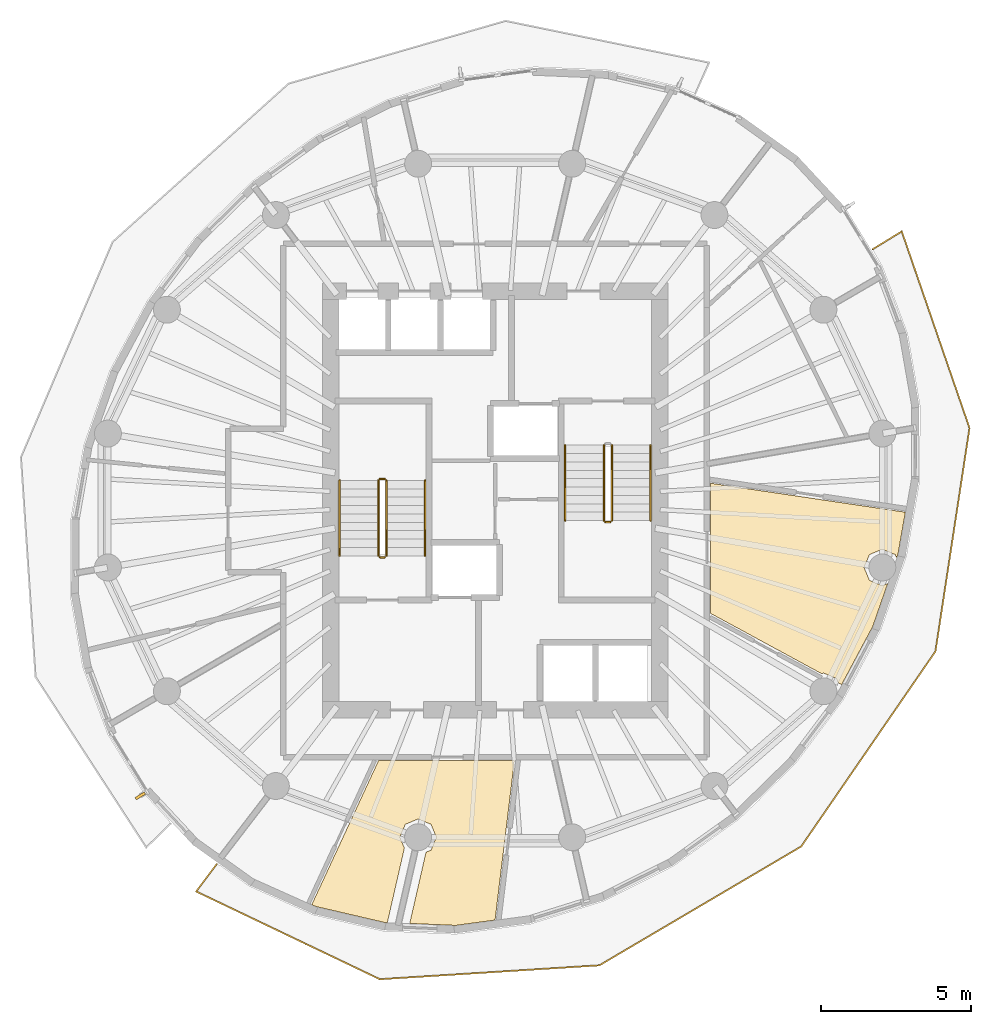
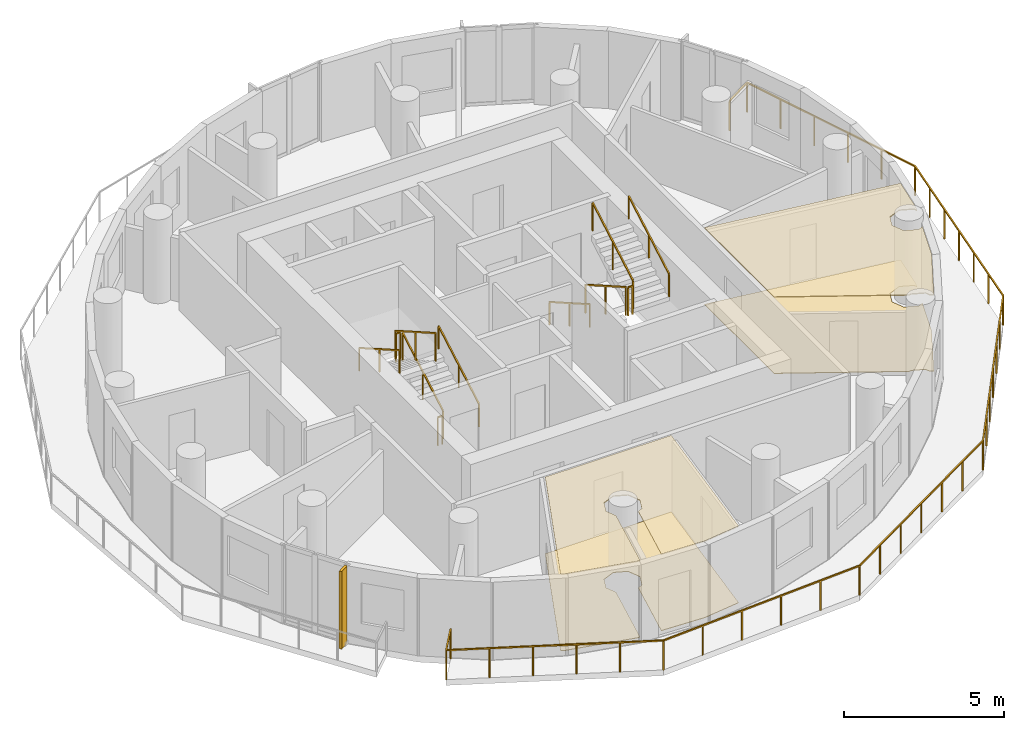
# One storey, part 8 of 10: 12 railings, 4 coverings, 1 shading device.
"""IFC4 building model written with IfcOpenShell, lengths in metres."""

from ifc_helpers import new_model, si_unit, direction, frame, origin, origin_2d, place, context, subcontext, project, spatial, polyline, rectangle, outline, extrude, material, layer, layer_set, type_object, element, save


model = new_model("IFC4")

# Units and contexts
model_context = context("Model", 3, precision=1e-05, world=origin(), true_north=direction((0.0, 1.0)))
body_context = subcontext(model_context, "Body", "Model", "MODEL_VIEW")
ifc_project = project(units=[si_unit("LENGTHUNIT", "METRE"), si_unit("AREAUNIT", "SQUARE_METRE"), si_unit("VOLUMEUNIT", "CUBIC_METRE"), si_unit("PLANEANGLEUNIT", "RADIAN"), si_unit("MASSUNIT", "GRAM", prefix="KILO")], contexts=[model_context])

# Site, building, storey
site_placement = place(None, origin())
site = spatial("IfcSite", under=ifc_project, at=site_placement, CompositionType="ELEMENT")
building_placement = place(site_placement, origin())
building = spatial("IfcBuilding", under=site, at=building_placement, Name="Veldorim Arch Residences", CompositionType="ELEMENT")
storey_placement = place(building_placement, frame((0.0, 0.0, 195.0400390625)))
storey = spatial("IfcBuildingStorey", under=building, at=storey_placement, Name="L58", CompositionType="ELEMENT", Elevation=195.0400390625)

# Railings
ifc_material_1 = material(Name="Aluminium", Category="aluminium")
railing_type_1 = type_object("IfcRailingType", Name="Balcony & Terrace Laminated Glass Balustrade 1150", PredefinedType="BALUSTRADE", material=ifc_material_1)
railing_1_placement = place(storey_placement, frame((22.690673828125, 11.8466796875, 0.0)))
element("IfcRailing", 1, at=railing_1_placement, inside=storey, type_object=railing_type_1, Name="L58 crescent balcony safety balustrade B", PredefinedType="BALUSTRADE", context=body_context, shape_type="SweptSolid", body=[
    extrude(rectangle(XDim=0.048095703125, YDim=0.048095703125, at=origin_2d()), frame((0.0, 0.0, 1.1259765625), z_axis=(-0.600237775512, -0.799821613142, 0.0), x_axis=(0.799821613142, -0.600237775512, 0.0)), (0.0, 0.0, 1.0), 1.14990234375),
    extrude(rectangle(XDim=0.048095703125, YDim=0.048095703125, at=origin_2d()), frame((-0.690185546875, -0.919677734375, 1.1259765625), z_axis=(0.902273129523, -0.431164933338, 0.0), x_axis=(0.431164933338, 0.902273129523, 0.0)), (0.0, 0.0, 1.0), 6.80908203125),
    extrude(rectangle(XDim=0.048095703125, YDim=0.048095703125, at=origin_2d()), frame((5.453369140625, -3.85546875, 1.1259765625), z_axis=(0.997999801771, 0.063217052017, 0.0), x_axis=(-0.063217052017, 0.997999801771, 0.0)), (0.0, 0.0, 1.0), 7.35693359375),
    extrude(rectangle(XDim=0.048095703125, YDim=0.048095703125, at=origin_2d()), frame((12.795654296875, -3.390380859375, 1.1259765625), z_axis=(0.861659209201, 0.507487346837, 0.0), x_axis=(-0.507487346837, 0.861659209201, 0.0)), (0.0, 0.0, 1.0), 7.83154296875),
    extrude(rectangle(XDim=0.048095703125, YDim=0.048095703125, at=origin_2d()), frame((19.543701171875, 0.583984375, 1.1259765625), z_axis=(0.566870275213, 0.823807071516, 0.0), x_axis=(-0.823807071516, 0.566870275213, 0.0)), (0.0, 0.0, 1.0), 7.9189453125),
    extrude(rectangle(XDim=0.048095703125, YDim=0.048095703125, at=origin_2d()), frame((24.03271484375, 7.107666015625, 1.1259765625), z_axis=(0.150906107118, 0.988548100415, 0.0), x_axis=(-0.988548100415, 0.150906107118, 0.0)), (0.0, 0.0, 1.0), 7.55517578125),
    extrude(rectangle(XDim=0.048095703125, YDim=0.048095703125, at=origin_2d()), frame((25.1728515625, 14.576416015625, 1.1259765625), z_axis=(-0.325929032945, 0.945394238127, 0.0), x_axis=(-0.945394238127, -0.325929032945, 0.0)), (0.0, 0.0, 1.0), 6.95654296875),
    extrude(rectangle(XDim=0.048095703125, YDim=0.048095703125, at=origin_2d()), frame((22.905517578125, 21.153076171875, 1.1259765625), z_axis=(-0.852546329169, -0.522651658967, 0.0), x_axis=(0.522651658967, -0.852546329169, 0.0)), (0.0, 0.0, 1.0), 1.150146484375),
    extrude(rectangle(XDim=0.0419921875, YDim=0.0419921875, at=origin_2d()), origin(), (0.0, 0.0, 1.0), 1.101806640625),
    extrude(rectangle(XDim=0.0419921875, YDim=0.0419921875, at=origin_2d()), frame((-0.690185546875, -0.919677734375, 0.0)), (0.0, 0.0, 1.0), 1.101806640625),
    extrude(rectangle(XDim=0.0419921875, YDim=0.0419921875, at=origin_2d()), frame((0.53857421875, -1.5068359375, 0.0)), (0.0, 0.0, 1.0), 1.101806640625),
    extrude(rectangle(XDim=0.0419921875, YDim=0.0419921875, at=origin_2d()), frame((1.767333984375, -2.093994140625, 0.0)), (0.0, 0.0, 1.0), 1.101806640625),
    extrude(rectangle(XDim=0.0419921875, YDim=0.0419921875, at=origin_2d()), frame((2.995849609375, -2.68115234375, 0.0)), (0.0, 0.0, 1.0), 1.101806640625),
    extrude(rectangle(XDim=0.0419921875, YDim=0.0419921875, at=origin_2d()), frame((4.224609375, -3.268310546875, 0.0)), (0.0, 0.0, 1.0), 1.101806640625),
    extrude(rectangle(XDim=0.0419921875, YDim=0.0419921875, at=origin_2d()), frame((5.453369140625, -3.85546875, 0.0)), (0.0, 0.0, 1.0), 1.101806640625),
    extrude(rectangle(XDim=0.0419921875, YDim=0.0419921875, at=origin_2d()), frame((6.921875, -3.762451171875, 0.0)), (0.0, 0.0, 1.0), 1.101806640625),
    extrude(rectangle(XDim=0.0419921875, YDim=0.0419921875, at=origin_2d()), frame((8.390380859375, -3.66943359375, 0.0)), (0.0, 0.0, 1.0), 1.101806640625),
    extrude(rectangle(XDim=0.0419921875, YDim=0.0419921875, at=origin_2d()), frame((9.858642578125, -3.576416015625, 0.0)), (0.0, 0.0, 1.0), 1.101806640625),
    extrude(rectangle(XDim=0.0419921875, YDim=0.0419921875, at=origin_2d()), frame((11.3271484375, -3.4833984375, 0.0)), (0.0, 0.0, 1.0), 1.101806640625),
    extrude(rectangle(XDim=0.0419921875, YDim=0.0419921875, at=origin_2d()), frame((12.795654296875, -3.390380859375, 0.0)), (0.0, 0.0, 1.0), 1.101806640625),
    extrude(rectangle(XDim=0.0419921875, YDim=0.0419921875, at=origin_2d()), frame((13.92041015625, -2.72802734375, 0.0)), (0.0, 0.0, 1.0), 1.101806640625),
    extrude(rectangle(XDim=0.0419921875, YDim=0.0419921875, at=origin_2d()), frame((15.044921875, -2.065673828125, 0.0)), (0.0, 0.0, 1.0), 1.101806640625),
    extrude(rectangle(XDim=0.0419921875, YDim=0.0419921875, at=origin_2d()), frame((16.169677734375, -1.4033203125, 0.0)), (0.0, 0.0, 1.0), 1.101806640625),
    extrude(rectangle(XDim=0.0419921875, YDim=0.0419921875, at=origin_2d()), frame((17.29443359375, -0.74072265625, 0.0)), (0.0, 0.0, 1.0), 1.101806640625),
    extrude(rectangle(XDim=0.0419921875, YDim=0.0419921875, at=origin_2d()), frame((18.4189453125, -0.078369140625, 0.0)), (0.0, 0.0, 1.0), 1.101806640625),
    extrude(rectangle(XDim=0.0419921875, YDim=0.0419921875, at=origin_2d()), frame((19.543701171875, 0.583984375, 0.0)), (0.0, 0.0, 1.0), 1.101806640625),
    extrude(rectangle(XDim=0.0419921875, YDim=0.0419921875, at=origin_2d()), frame((20.2919921875, 1.67138671875, 0.0)), (0.0, 0.0, 1.0), 1.101806640625),
    extrude(rectangle(XDim=0.0419921875, YDim=0.0419921875, at=origin_2d()), frame((21.0400390625, 2.758544921875, 0.0)), (0.0, 0.0, 1.0), 1.101806640625),
    extrude(rectangle(XDim=0.0419921875, YDim=0.0419921875, at=origin_2d()), frame((21.7880859375, 3.845703125, 0.0)), (0.0, 0.0, 1.0), 1.101806640625),
    extrude(rectangle(XDim=0.0419921875, YDim=0.0419921875, at=origin_2d()), frame((22.536376953125, 4.93310546875, 0.0)), (0.0, 0.0, 1.0), 1.101806640625),
    extrude(rectangle(XDim=0.0419921875, YDim=0.0419921875, at=origin_2d()), frame((23.28466796875, 6.0205078125, 0.0)), (0.0, 0.0, 1.0), 1.101806640625),
    extrude(rectangle(XDim=0.0419921875, YDim=0.0419921875, at=origin_2d()), frame((24.03271484375, 7.107666015625, 0.0)), (0.0, 0.0, 1.0), 1.101806640625),
    extrude(rectangle(XDim=0.0419921875, YDim=0.0419921875, at=origin_2d()), frame((24.22265625, 8.3525390625, 0.0)), (0.0, 0.0, 1.0), 1.101806640625),
    extrude(rectangle(XDim=0.0419921875, YDim=0.0419921875, at=origin_2d()), frame((24.412841796875, 9.59716796875, 0.0)), (0.0, 0.0, 1.0), 1.101806640625),
    extrude(rectangle(XDim=0.0419921875, YDim=0.0419921875, at=origin_2d()), frame((24.602783203125, 10.842041015625, 0.0)), (0.0, 0.0, 1.0), 1.101806640625),
    extrude(rectangle(XDim=0.0419921875, YDim=0.0419921875, at=origin_2d()), frame((24.792724609375, 12.0869140625, 0.0)), (0.0, 0.0, 1.0), 1.101806640625),
    extrude(rectangle(XDim=0.0419921875, YDim=0.0419921875, at=origin_2d()), frame((24.98291015625, 13.33154296875, 0.0)), (0.0, 0.0, 1.0), 1.101806640625),
    extrude(rectangle(XDim=0.0419921875, YDim=0.0419921875, at=origin_2d()), frame((25.1728515625, 14.576416015625, 0.0)), (0.0, 0.0, 1.0), 1.101806640625),
    extrude(rectangle(XDim=0.0419921875, YDim=0.0419921875, at=origin_2d()), frame((24.719482421875, 15.891845703125, 0.0)), (0.0, 0.0, 1.0), 1.101806640625),
    extrude(rectangle(XDim=0.0419921875, YDim=0.0419921875, at=origin_2d()), frame((24.265869140625, 17.20703125, 0.0)), (0.0, 0.0, 1.0), 1.101806640625),
    extrude(rectangle(XDim=0.0419921875, YDim=0.0419921875, at=origin_2d()), frame((23.8125, 18.5224609375, 0.0)), (0.0, 0.0, 1.0), 1.101806640625),
    extrude(rectangle(XDim=0.0419921875, YDim=0.0419921875, at=origin_2d()), frame((23.35888671875, 19.837646484375, 0.0)), (0.0, 0.0, 1.0), 1.101806640625),
    extrude(rectangle(XDim=0.0419921875, YDim=0.0419921875, at=origin_2d()), frame((22.905517578125, 21.153076171875, 0.0)), (0.0, 0.0, 1.0), 1.101806640625),
    extrude(rectangle(XDim=0.0419921875, YDim=0.0419921875, at=origin_2d()), frame((21.925048828125, 20.552001953125, 0.0)), (0.0, 0.0, 1.0), 1.101806640625),
])
ifc_material_2 = material(Name="Steel S355", Category="steel")
railing_type_2 = type_object("IfcRailingType", Name="Galvanised Steel Stair Safety Guardrail 1100", PredefinedType="GUARDRAIL", material=ifc_material_2)
railing_2_placement = place(storey_placement, frame((28.360107421875, 22.14990234375, 0.159912109375)))
element("IfcRailing", 2, at=railing_2_placement, inside=storey, type_object=railing_type_2, Name="L58 ST-1 stair guard 1", PredefinedType="GUARDRAIL", context=body_context, shape_type="SweptSolid", body=[
    extrude(rectangle(XDim=0.048095703125, YDim=0.048095703125, at=origin_2d()), frame((0.0, 0.0, 1.076171875), z_axis=(0.0, 0.868253494771, 0.496120820787), x_axis=(-1.0, 0.0, 0.0)), (0.0, 0.0, 1.0), 2.90234375),
    extrude(rectangle(XDim=0.0419921875, YDim=0.0419921875, at=origin_2d()), origin(), (0.0, 0.0, 1.0), 1.052001953125),
    extrude(rectangle(XDim=0.0419921875, YDim=0.0419921875, at=origin_2d()), frame((0.0, 1.260009765625, 0.719970703125)), (0.0, 0.0, 1.0), 1.052001953125),
    extrude(rectangle(XDim=0.0419921875, YDim=0.0419921875, at=origin_2d()), frame((0.0, 2.52001953125, 1.43994140625)), (0.0, 0.0, 1.0), 1.052001953125),
])
railing_3_placement = place(storey_placement, frame((28.31005859375, 24.719970703125, 1.599853515625)))
element("IfcRailing", 3, at=railing_3_placement, inside=storey, type_object=railing_type_2, Name="L58 ST-1 stair guard 2", PredefinedType="GUARDRAIL", context=body_context, shape_type="SweptSolid", body=[
    extrude(rectangle(XDim=0.048095703125, YDim=0.048095703125, at=origin_2d()), frame((0.0, 0.0, 1.076171875), z_axis=(-1.0, 0.0, 0.0), x_axis=(0.0, -1.0, 0.0)), (0.0, 0.0, 1.0), 0.16015625),
    extrude(rectangle(XDim=0.0419921875, YDim=0.0419921875, at=origin_2d()), origin(), (0.0, 0.0, 1.0), 1.052001953125),
    extrude(rectangle(XDim=0.0419921875, YDim=0.0419921875, at=origin_2d()), frame((-0.16015625, 0.0, 0.0)), (0.0, 0.0, 1.0), 1.052001953125),
])
railing_4_placement = place(storey_placement, frame((28.10009765625, 24.669921875, 1.760009765625)))
element("IfcRailing", 4, at=railing_4_placement, inside=storey, type_object=railing_type_2, Name="L58 ST-1 stair guard 3", PredefinedType="GUARDRAIL", context=body_context, shape_type="SweptSolid", body=[
    extrude(rectangle(XDim=0.048095703125, YDim=0.048095703125, at=origin_2d()), frame((0.0, 0.0, 1.076171875), z_axis=(0.0, -0.868253494771, 0.496120820787), x_axis=(1.0, 0.0, 0.0)), (0.0, 0.0, 1.0), 2.90234375),
    extrude(rectangle(XDim=0.0419921875, YDim=0.0419921875, at=origin_2d()), origin(), (0.0, 0.0, 1.0), 1.052001953125),
    extrude(rectangle(XDim=0.0419921875, YDim=0.0419921875, at=origin_2d()), frame((0.0, -1.260009765625, 0.719970703125)), (0.0, 0.0, 1.0), 1.052001953125),
    extrude(rectangle(XDim=0.0419921875, YDim=0.0419921875, at=origin_2d()), frame((0.0, -2.52001953125, 1.43994140625)), (0.0, 0.0, 1.0), 1.052001953125),
])
railing_5_placement = place(storey_placement, frame((28.31005859375, 22.10009765625, 0.0)))
element("IfcRailing", 5, at=railing_5_placement, inside=storey, type_object=railing_type_2, Name="L58 ST-1 stair guard 4", PredefinedType="GUARDRAIL", context=body_context, shape_type="SweptSolid", body=[
    extrude(rectangle(XDim=0.048095703125, YDim=0.048095703125, at=origin_2d()), frame((0.0, 0.0, 1.076171875), z_axis=(-1.0, 0.0, 0.0), x_axis=(0.0, -1.0, 0.0)), (0.0, 0.0, 1.0), 0.16015625),
    extrude(rectangle(XDim=0.0419921875, YDim=0.0419921875, at=origin_2d()), origin(), (0.0, 0.0, 1.0), 1.052001953125),
    extrude(rectangle(XDim=0.0419921875, YDim=0.0419921875, at=origin_2d()), frame((-0.16015625, 0.0, 0.0)), (0.0, 0.0, 1.0), 1.052001953125),
])
railing_6_placement = place(storey_placement, frame((35.639892578125, 25.85009765625, 0.159912109375)))
element("IfcRailing", 6, at=railing_6_placement, inside=storey, type_object=railing_type_2, Name="L58 ST-2 stair guard 1", PredefinedType="GUARDRAIL", context=body_context, shape_type="SweptSolid", body=[
    extrude(rectangle(XDim=0.048095703125, YDim=0.048095703125, at=origin_2d()), frame((0.0, 0.0, 1.076171875), z_axis=(0.0, -0.868253494771, 0.496120820787), x_axis=(1.0, 0.0, 0.0)), (0.0, 0.0, 1.0), 2.90234375),
    extrude(rectangle(XDim=0.0419921875, YDim=0.0419921875, at=origin_2d()), origin(), (0.0, 0.0, 1.0), 1.052001953125),
    extrude(rectangle(XDim=0.0419921875, YDim=0.0419921875, at=origin_2d()), frame((0.0, -1.260009765625, 0.719970703125)), (0.0, 0.0, 1.0), 1.052001953125),
    extrude(rectangle(XDim=0.0419921875, YDim=0.0419921875, at=origin_2d()), frame((0.0, -2.52001953125, 1.43994140625)), (0.0, 0.0, 1.0), 1.052001953125),
])
railing_7_placement = place(storey_placement, frame((35.68994140625, 23.280029296875, 1.599853515625)))
element("IfcRailing", 7, at=railing_7_placement, inside=storey, type_object=railing_type_2, Name="L58 ST-2 stair guard 2", PredefinedType="GUARDRAIL", context=body_context, shape_type="SweptSolid", body=[
    extrude(rectangle(XDim=0.048095703125, YDim=0.048095703125, at=origin_2d()), frame((0.0, 0.0, 1.076171875), z_axis=(1.0, 0.0, 0.0), x_axis=(0.0, 1.0, 0.0)), (0.0, 0.0, 1.0), 0.16015625),
    extrude(rectangle(XDim=0.0419921875, YDim=0.0419921875, at=origin_2d()), origin(), (0.0, 0.0, 1.0), 1.052001953125),
    extrude(rectangle(XDim=0.0419921875, YDim=0.0419921875, at=origin_2d()), frame((0.16015625, 0.0, 0.0)), (0.0, 0.0, 1.0), 1.052001953125),
])
railing_8_placement = place(storey_placement, frame((35.89990234375, 23.330078125, 1.760009765625)))
element("IfcRailing", 8, at=railing_8_placement, inside=storey, type_object=railing_type_2, Name="L58 ST-2 stair guard 3", PredefinedType="GUARDRAIL", context=body_context, shape_type="SweptSolid", body=[
    extrude(rectangle(XDim=0.048095703125, YDim=0.048095703125, at=origin_2d()), frame((0.0, 0.0, 1.076171875), z_axis=(0.0, 0.868253494771, 0.496120820787), x_axis=(-1.0, 0.0, 0.0)), (0.0, 0.0, 1.0), 2.90234375),
    extrude(rectangle(XDim=0.0419921875, YDim=0.0419921875, at=origin_2d()), origin(), (0.0, 0.0, 1.0), 1.052001953125),
    extrude(rectangle(XDim=0.0419921875, YDim=0.0419921875, at=origin_2d()), frame((0.0, 1.260009765625, 0.719970703125)), (0.0, 0.0, 1.0), 1.052001953125),
    extrude(rectangle(XDim=0.0419921875, YDim=0.0419921875, at=origin_2d()), frame((0.0, 2.52001953125, 1.43994140625)), (0.0, 0.0, 1.0), 1.052001953125),
])

# Coverings
ifc_material_3 = material(Name="Acoustic Gypsum & Mineral Fibre", Category="gypsum")
ifc_layer_1 = layer(ifc_material_3, 0.034912109375, Name="Perforated Acoustic Mineral-Fibre Ceiling 35")
ifc_layer_set_1 = layer_set([ifc_layer_1], Name="Acoustic Gypsum & Mineral Fibre")
covering_type_1 = type_object("IfcCoveringType", Name="Perforated Acoustic Mineral-Fibre Ceiling 35", PredefinedType="CEILING", material=ifc_layer_set_1)
covering_1_placement = place(storey_placement, frame((0.0, 0.0, 2.905029296875)))
element("IfcCovering", 9, at=covering_1_placement, inside=storey, type_object=covering_type_1, Name="L58 acoustic suspended ceiling 01", PredefinedType="CEILING", context=body_context, shape_type="SweptSolid", body=[
    extrude(outline(polyline([(28.395751953125, 9.889892578125), (28.287109375, 9.894287109375), (26.00927734375, 10.42333984375), (25.86767578125, 10.48681640625), (28.098876953125, 15.300048828125), (32.64404296875, 15.300048828125), (31.997314453125, 9.97119140625), (30.6796875, 9.792724609375), (29.142578125, 9.858154296875), (29.687255859375, 12.239501953125), (29.856201171875, 12.309326171875), (30.03466796875, 12.740478515625), (29.856201171875, 13.171875), (29.4248046875, 13.3505859375), (28.993408203125, 13.171875), (28.81494140625, 12.740478515625), (28.965087890625, 12.37841796875), (28.395751953125, 9.889892578125)])), origin(), (0.0, 0.0, 1.0), 0.034912109375),
])
covering_2_placement = place(storey_placement, frame((0.0, 0.0, 2.905029296875)))
element("IfcCovering", 10, at=covering_2_placement, inside=storey, type_object=covering_type_1, Name="L58 acoustic suspended ceiling 02", PredefinedType="CEILING", context=body_context, shape_type="SweptSolid", body=[
    extrude(outline(polyline([(44.624267578125, 19.78466796875), (43.5859375, 17.845458984375), (43.4658203125, 17.91064453125), (43.40673828125, 18.053466796875), (42.975341796875, 18.23193359375), (42.917724609375, 18.2080078125), (39.199951171875, 20.226806640625), (39.199951171875, 24.57861328125), (45.715087890625, 23.610107421875), (45.469970703125, 22.2119140625), (45.424072265625, 22.079833984375), (45.377685546875, 22.191650390625), (44.9462890625, 22.370361328125), (44.51513671875, 22.191650390625), (44.33642578125, 21.760498046875), (44.51513671875, 21.3291015625), (44.9462890625, 21.150390625), (45.126220703125, 21.22509765625), (44.624267578125, 19.78466796875)])), origin(), (0.0, 0.0, 1.0), 0.034912109375),
])
ifc_material_4 = material(Name="Porcelain Ceramic Tile", Category="ceramic")
ifc_layer_2 = layer(ifc_material_4, 0.02001953125, Name="Slip-Resistant Porcelain & Vinyl Floor Finish 20")
ifc_layer_set_2 = layer_set([ifc_layer_2], Name="Porcelain Ceramic Tile")
covering_type_2 = type_object("IfcCoveringType", Name="Slip-Resistant Porcelain & Vinyl Floor Finish 20", PredefinedType="FLOORING", material=ifc_layer_set_2)
covering_3_placement = place(storey_placement, origin())
element("IfcCovering", 11, at=covering_3_placement, inside=storey, type_object=covering_type_2, Name="L58 porcelain floor finish 01", PredefinedType="FLOORING", context=body_context, shape_type="SweptSolid", body=[
    extrude(outline(polyline([(28.395751953125, 9.889892578125), (28.287109375, 9.894287109375), (26.00927734375, 10.42333984375), (25.86767578125, 10.48681640625), (28.098876953125, 15.300048828125), (32.64404296875, 15.300048828125), (31.997314453125, 9.97119140625), (30.6796875, 9.792724609375), (29.142578125, 9.858154296875), (29.687255859375, 12.239501953125), (29.856201171875, 12.309326171875), (30.03466796875, 12.740478515625), (29.856201171875, 13.171875), (29.4248046875, 13.3505859375), (28.993408203125, 13.171875), (28.81494140625, 12.740478515625), (28.965087890625, 12.37841796875), (28.395751953125, 9.889892578125)])), origin(), (0.0, 0.0, 1.0), 0.02001953125),
])
covering_4_placement = place(storey_placement, origin())
element("IfcCovering", 12, at=covering_4_placement, inside=storey, type_object=covering_type_2, Name="L58 porcelain floor finish 02", PredefinedType="FLOORING", context=body_context, shape_type="SweptSolid", body=[
    extrude(outline(polyline([(44.624267578125, 19.78466796875), (43.5859375, 17.845458984375), (43.4658203125, 17.91064453125), (43.40673828125, 18.053466796875), (42.975341796875, 18.23193359375), (42.917724609375, 18.2080078125), (39.199951171875, 20.226806640625), (39.199951171875, 24.57861328125), (45.715087890625, 23.610107421875), (45.469970703125, 22.2119140625), (45.424072265625, 22.079833984375), (45.377685546875, 22.191650390625), (44.9462890625, 22.370361328125), (44.51513671875, 22.191650390625), (44.33642578125, 21.760498046875), (44.51513671875, 21.3291015625), (44.9462890625, 21.150390625), (45.126220703125, 21.22509765625), (44.624267578125, 19.78466796875)])), origin(), (0.0, 0.0, 1.0), 0.02001953125),
])

# Railings
ifc_material_5 = material(Name="Stainless Steel", Category="steel")
railing_type_3 = type_object("IfcRailingType", Name="Tubular Steel Continuous Wall Handrail 900", PredefinedType="HANDRAIL", material=ifc_material_5)
railing_9_placement = place(storey_placement, frame((29.659912109375, 22.14990234375, 0.159912109375)))
element("IfcRailing", 13, at=railing_9_placement, inside=storey, type_object=railing_type_3, Name="L58 ST-1 stair handrail 1", PredefinedType="HANDRAIL", context=body_context, shape_type="SweptSolid", body=[
    extrude(rectangle(XDim=0.048095703125, YDim=0.048095703125, at=origin_2d()), frame((0.0, 0.0, 0.8759765625), z_axis=(0.0, 0.868253494771, 0.496120820787), x_axis=(-1.0, 0.0, 0.0)), (0.0, 0.0, 1.0), 2.90234375),
    extrude(rectangle(XDim=0.0419921875, YDim=0.0419921875, at=origin_2d()), origin(), (0.0, 0.0, 1.0), 0.851806640625),
    extrude(rectangle(XDim=0.0419921875, YDim=0.0419921875, at=origin_2d()), frame((0.0, 1.260009765625, 0.719970703125)), (0.0, 0.0, 1.0), 0.851806640625),
    extrude(rectangle(XDim=0.0419921875, YDim=0.0419921875, at=origin_2d()), frame((0.0, 2.52001953125, 1.43994140625)), (0.0, 0.0, 1.0), 0.851806640625),
])
for number, where, name in (
    (14, (26.800048828125, 24.669921875, 1.760009765625), "L58 ST-1 stair handrail 2"),
    (15, (34.340087890625, 25.85009765625, 0.159912109375), "L58 ST-2 stair handrail 1"),
):
    element("IfcRailing", number, at=place(storey_placement, frame(where)), inside=storey, type_object=railing_type_3, Name=name, PredefinedType="HANDRAIL", context=body_context, shape_type="SweptSolid", body=[
        extrude(rectangle(XDim=0.048095703125, YDim=0.048095703125, at=origin_2d()), frame((0.0, 0.0, 0.8759765625), z_axis=(0.0, -0.868253494771, 0.496120820787), x_axis=(1.0, 0.0, 0.0)), (0.0, 0.0, 1.0), 2.90234375),
        extrude(rectangle(XDim=0.0419921875, YDim=0.0419921875, at=origin_2d()), origin(), (0.0, 0.0, 1.0), 0.851806640625),
        extrude(rectangle(XDim=0.0419921875, YDim=0.0419921875, at=origin_2d()), frame((0.0, -1.260009765625, 0.719970703125)), (0.0, 0.0, 1.0), 0.851806640625),
        extrude(rectangle(XDim=0.0419921875, YDim=0.0419921875, at=origin_2d()), frame((0.0, -2.52001953125, 1.43994140625)), (0.0, 0.0, 1.0), 0.851806640625),
    ])
railing_10_placement = place(storey_placement, frame((37.199951171875, 23.330078125, 1.760009765625)))
element("IfcRailing", 16, at=railing_10_placement, inside=storey, type_object=railing_type_3, Name="L58 ST-2 stair handrail 2", PredefinedType="HANDRAIL", context=body_context, shape_type="SweptSolid", body=[
    extrude(rectangle(XDim=0.048095703125, YDim=0.048095703125, at=origin_2d()), frame((0.0, 0.0, 0.8759765625), z_axis=(0.0, 0.868253494771, 0.496120820787), x_axis=(-1.0, 0.0, 0.0)), (0.0, 0.0, 1.0), 2.90234375),
    extrude(rectangle(XDim=0.0419921875, YDim=0.0419921875, at=origin_2d()), origin(), (0.0, 0.0, 1.0), 0.851806640625),
    extrude(rectangle(XDim=0.0419921875, YDim=0.0419921875, at=origin_2d()), frame((0.0, 1.260009765625, 0.719970703125)), (0.0, 0.0, 1.0), 0.851806640625),
    extrude(rectangle(XDim=0.0419921875, YDim=0.0419921875, at=origin_2d()), frame((0.0, 2.52001953125, 1.43994140625)), (0.0, 0.0, 1.0), 0.851806640625),
])

# Shading device
ifc_material_6 = material(Name="Terracotta Ceramic", Category="masonry")
ifc_layer_3 = layer(ifc_material_6, 0.090087890625, Name="Vertical Extruded Terracotta Baguette Sun-Shading Fin")
ifc_layer_set_3 = layer_set([ifc_layer_3], Name="Terracotta Ceramic")
shading_device_type = type_object("IfcShadingDeviceType", Name="Vertical Extruded Terracotta Baguette Sun-Shading Fin", PredefinedType="USERDEFINED", material=ifc_layer_set_3)
shading_device_placement = place(storey_placement, frame((20.133056640625, 14.124267578125, 0.0), z_axis=(0.0, 0.0, 1.0), x_axis=(-0.523837243597, 0.851818373963, 0.0)))
element("IfcShadingDevice", 17, at=shading_device_placement, inside=storey, type_object=shading_device_type, Name="L58 vertical terracotta sun-shading fin 17", ObjectType="FIN", PredefinedType="USERDEFINED", context=body_context, shape_type="SweptSolid", body=[
    extrude(rectangle(XDim=0.090087890625, YDim=0.360107421875, at=origin_2d()), origin(), (0.0, 0.0, 1.0), 2.9599609375),
])

save(model, "model.ifc")
